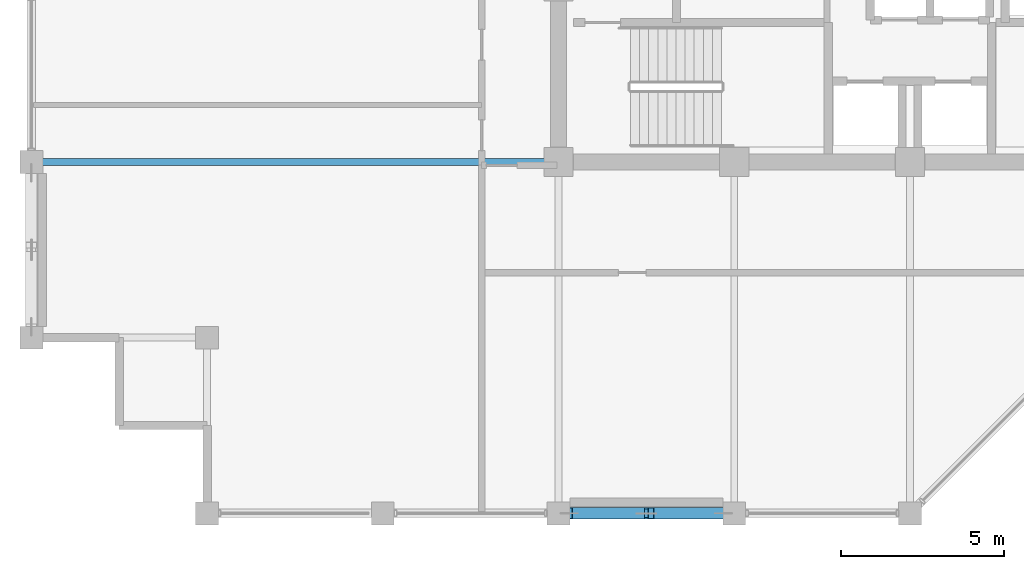
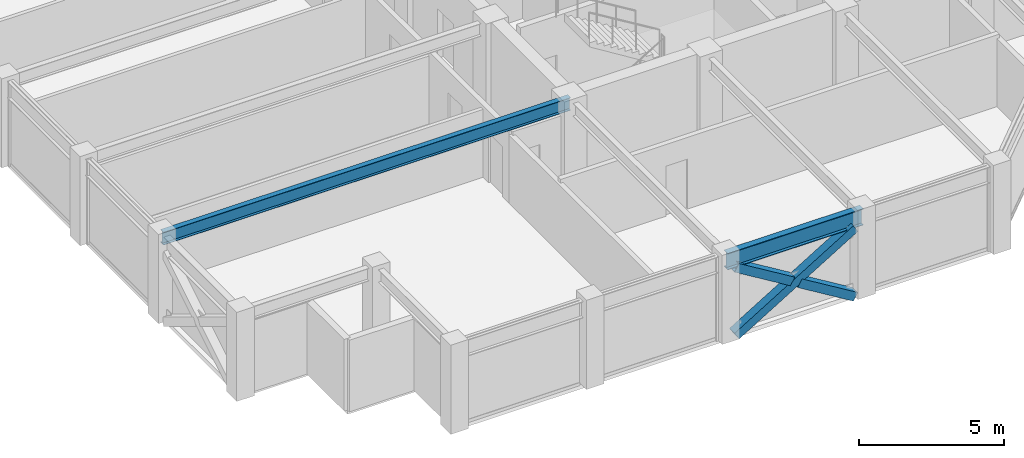
# One storey, part 5 of 31: 3 members, 2 beams.
"""IFC4 building model written with IfcOpenShell, lengths in metres."""

from ifc_helpers import new_model, si_unit, direction, frame, origin, origin_2d, place, context, subcontext, project, spatial, hollow_rectangle, i_section, extrude, material, material_profile, profile_set, type_object, element, save


model = new_model("IFC4")

# Units and contexts
model_context = context("Model", 3, precision=1e-05, world=origin(), true_north=direction((0.0, 1.0)))
body_context = subcontext(model_context, "Body", "Model", "MODEL_VIEW")
ifc_project = project(units=[si_unit("LENGTHUNIT", "METRE"), si_unit("AREAUNIT", "SQUARE_METRE"), si_unit("VOLUMEUNIT", "CUBIC_METRE"), si_unit("PLANEANGLEUNIT", "RADIAN"), si_unit("MASSUNIT", "GRAM", prefix="KILO")], contexts=[model_context])

# Site, building, storey
site_placement = place(None, origin())
site = spatial("IfcSite", under=ifc_project, at=site_placement, CompositionType="ELEMENT")
building_placement = place(site_placement, origin())
building = spatial("IfcBuilding", under=site, at=building_placement, Name="Surkhivell Harbour Commons", CompositionType="ELEMENT")
storey_placement = place(building_placement, frame((0.0, 0.0, 330.0)))
storey = spatial("IfcBuildingStorey", under=building, at=storey_placement, Name="L86", CompositionType="ELEMENT", Elevation=330.0)

# Beams
ifc_material = material(Name="Steel S355", Category="steel")
ifc_material_profile_1 = material_profile(ifc_material, i_section(OverallWidth=0.2099609375, OverallDepth=0.537109375, WebThickness=0.0107421875, FlangeThickness=0.017333984375, at=origin_2d()), Name="UB533x210x101")
ifc_profile_set_1 = profile_set([ifc_material_profile_1], Name="Steel S355")
beam_type_1 = type_object("IfcBeamType", Name="BM-GRD-533B", PredefinedType="BEAM", material=ifc_profile_set_1)
beam_1_placement = place(storey_placement, frame((-27.0, -10.800048828125, 3.301513671875), z_axis=(1.0, 0.0, 0.0), x_axis=(0.0, 1.0, 0.0)))
element("IfcBeam", 1, at=beam_1_placement, inside=storey, type_object=beam_type_1, Name="L86 Floor Girder (-27.0,-10.8)", PredefinedType="BEAM", context=body_context, shape_type="SweptSolid", body=[
    extrude(i_section(OverallWidth=0.2099609375, OverallDepth=0.537109375, WebThickness=0.0107421875, FlangeThickness=0.017333984375, at=origin_2d()), origin(), (0.0, 0.0, 1.0), 16.199951171875),
])
ifc_material_profile_2 = material_profile(ifc_material, i_section(OverallWidth=0.256103515625, OverallDepth=0.693115234375, WebThickness=0.014404296875, FlangeThickness=0.023681640625, at=origin_2d()), Name="UB686x254x170")
ifc_profile_set_2 = profile_set([ifc_material_profile_2], Name="Steel S355")
beam_type_2 = type_object("IfcBeamType", Name="BM-SPN-686", PredefinedType="SPANDREL", material=ifc_profile_set_2)
beam_2_placement = place(storey_placement, frame((-10.800048828125, -21.60009765625, 3.223388671875), z_axis=(1.0, 0.0, 0.0), x_axis=(0.0, 1.0, 0.0)))
element("IfcBeam", 2, at=beam_2_placement, inside=storey, type_object=beam_type_2, Name="L86 Tube Spandrel (-10.8,-21.6)", PredefinedType="SPANDREL", context=body_context, shape_type="SweptSolid", body=[
    extrude(i_section(OverallWidth=0.256103515625, OverallDepth=0.693115234375, WebThickness=0.014404296875, FlangeThickness=0.023681640625, at=origin_2d()), origin(), (0.0, 0.0, 1.0), 5.400146484375),
])

# Members
ifc_material_profile_3 = material_profile(ifc_material, hollow_rectangle(XDim=0.35009765625, YDim=0.35009765625, WallThickness=0.01611328125, at=origin_2d()), Name="SHS350x350x16")
ifc_profile_set_3 = profile_set([ifc_material_profile_3], Name="Steel S355")
member_type = type_object("IfcMemberType", Name="MEM-BRC-SHS350", PredefinedType="BRACE", material=ifc_profile_set_3)
member_1_placement = place(storey_placement, frame((-10.465087890625, -21.60009765625, 0.008056640625), z_axis=(0.854685454322, 0.0, 0.519146197299), x_axis=(0.0, 1.0, 0.0)))
element("IfcMember", 3, at=member_1_placement, inside=storey, type_object=member_type, Name="L86 Perimeter Mega-Brace MB- 07", PredefinedType="BRACE", context=body_context, shape_type="SweptSolid", body=[
    extrude(hollow_rectangle(XDim=0.35009765625, YDim=0.35009765625, WallThickness=0.01611328125, at=origin_2d()), origin(), (0.0, 0.0, 1.0), 5.5341796875),
])
member_2_placement = place(storey_placement, frame((-5.735107421875, -21.60009765625, 0.008056640625), z_axis=(-0.854653538862, 0.0, 0.519198737007), x_axis=(0.0, -1.0, 0.0)))
element("IfcMember", 4, at=member_2_placement, inside=storey, type_object=member_type, Name="L86 Perimeter Mega-Brace MB- 08", PredefinedType="BRACE", context=body_context, shape_type="SweptSolid", body=[
    extrude(hollow_rectangle(XDim=0.35009765625, YDim=0.35009765625, WallThickness=0.01611328125, at=origin_2d()), origin(), (0.0, 0.0, 1.0), 2.598876953125),
])
member_3_placement = place(storey_placement, frame((-8.24365234375, -21.60009765625, 1.53173828125), z_axis=(-0.854678858595, 0.0, 0.51915705588), x_axis=(0.0, -1.0, 0.0)))
element("IfcMember", 5, at=member_3_placement, inside=storey, type_object=member_type, Name="L86 Perimeter Mega-Brace MB- 09", PredefinedType="BRACE", context=body_context, shape_type="SweptSolid", body=[
    extrude(hollow_rectangle(XDim=0.35009765625, YDim=0.35009765625, WallThickness=0.01611328125, at=origin_2d()), origin(), (0.0, 0.0, 1.0), 2.59912109375),
])

save(model, "model.ifc")
